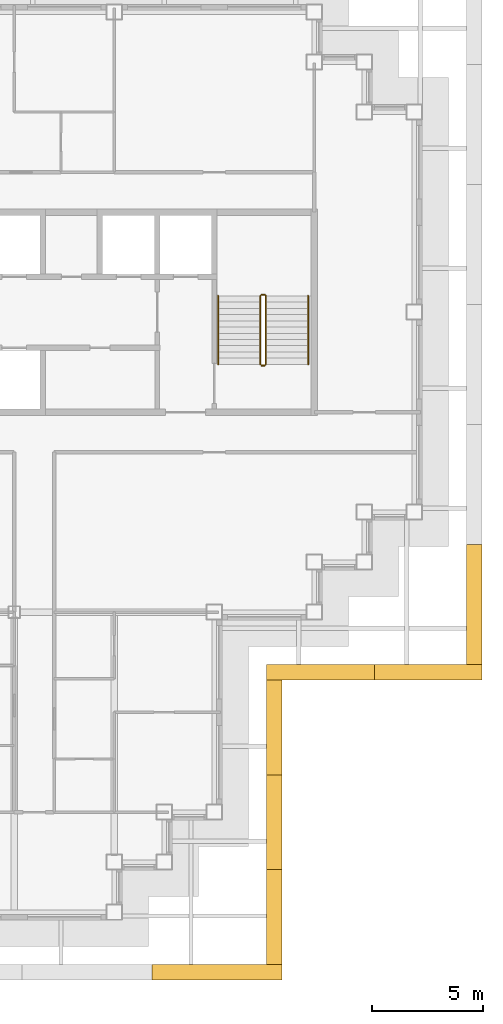
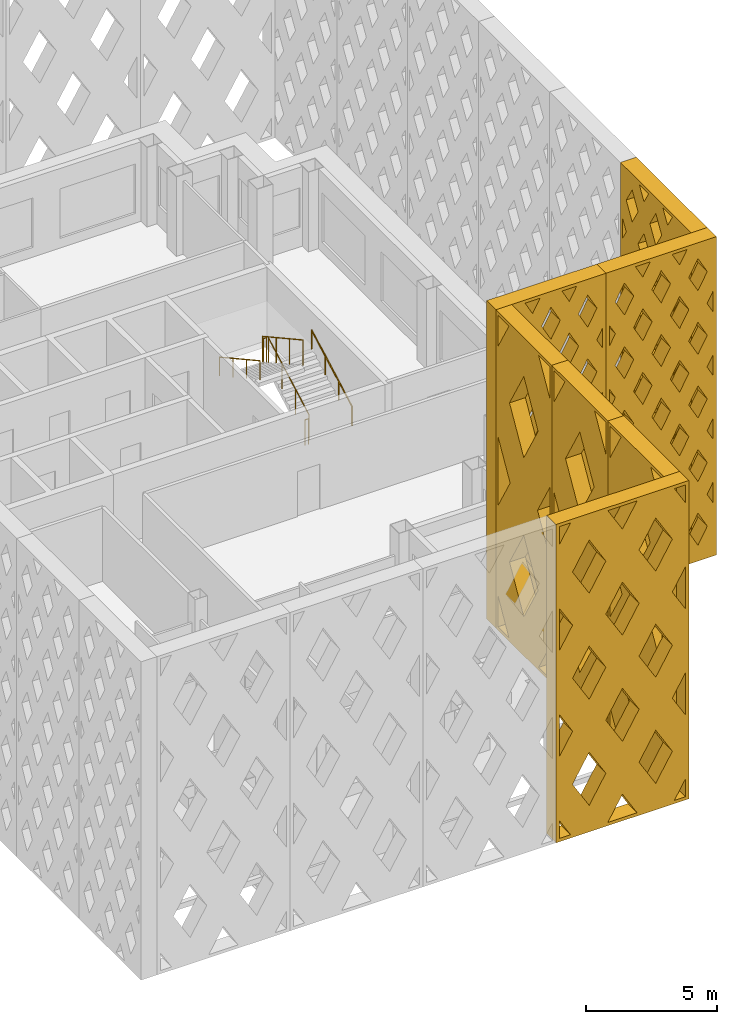
# One storey, part 13 of 16: 7 shading devices, 6 railings.
"""IFC4 building model written with IfcOpenShell, lengths in metres."""

from ifc_helpers import new_model, si_unit, direction, frame, origin, origin_2d, place, context, subcontext, project, spatial, polyline, circle, outline, extrude, material, type_object, element, save


model = new_model("IFC4")

# Units and contexts
model_context = context("Model", 3, precision=1e-05, world=origin(), true_north=direction((0.0, 1.0)))
body_context = subcontext(model_context, "Body", "Model", "MODEL_VIEW")
ifc_project = project(units=[si_unit("LENGTHUNIT", "METRE"), si_unit("AREAUNIT", "SQUARE_METRE"), si_unit("VOLUMEUNIT", "CUBIC_METRE"), si_unit("PLANEANGLEUNIT", "RADIAN"), si_unit("MASSUNIT", "GRAM", prefix="KILO")], contexts=[model_context])

# Site, building, storey
site_placement = place(None, origin())
site = spatial("IfcSite", under=ifc_project, at=site_placement, CompositionType="ELEMENT")
building_placement = place(site_placement, origin())
building = spatial("IfcBuilding", under=site, at=building_placement, Name="Caravel Reach Hotel and Residences", CompositionType="ELEMENT")
storey_placement = place(building_placement, frame((0.0, 0.0, 207.199951171875)))
storey = spatial("IfcBuildingStorey", under=building, at=storey_placement, Name="L52", CompositionType="ELEMENT", Elevation=207.199951171875)

# Shading devices
ifc_material_1 = material(Name="Black powder-coated aluminium", Category="aluminium")
shading_device_type_1 = type_object("IfcShadingDeviceType", Name="Diamond lattice screen panel 4267 x 14800", PredefinedType="USERDEFINED", material=ifc_material_1)
for number, where, z_axis, x_axis, name in (
    (1, (42.85009765625, -2.35009765625, 0.0), (1.0, 0.0, 0.0), (0.0, 1.0, 0.0), "Lattice screen L52-L55 1.1"),
    (2, (42.85009765625, 1.916748046875, 0.0), (1.0, 0.0, 0.0), (0.0, 1.0, 0.0), "Lattice screen L52-L55 1.2"),
    (3, (42.85009765625, 6.183349609375, 0.0), (1.0, 0.0, 0.0), (0.0, 1.0, 0.0), "Lattice screen L52-L55 1.3"),
):
    element("IfcShadingDevice", number, at=place(storey_placement, frame(where, z_axis=z_axis, x_axis=x_axis)), inside=storey, type_object=shading_device_type_1, Name=name, ObjectType="SCREEN", PredefinedType="USERDEFINED", context=body_context, shape_type="SweptSolid", body=[
        extrude(outline(polyline([(0.0, 0.0), (4.2666015625, 0.0), (4.2666015625, 14.800048828125), (0.0, 14.800048828125), (0.0, 0.0)]), holes=[polyline([(1.005615234375, 0.14990234375), (0.14990234375, 1.634033203125), (0.14990234375, 0.14990234375), (1.005615234375, 0.14990234375)]), polyline([(1.092041015625, 7.39990234375), (0.14990234375, 9.033935546875), (0.14990234375, 5.76611328125), (1.092041015625, 7.39990234375)]), polyline([(0.14990234375, 13.166015625), (1.005615234375, 14.64990234375), (0.14990234375, 14.64990234375), (0.14990234375, 13.166015625)]), polyline([(2.13330078125, 5.593994140625), (1.041259765625, 3.699951171875), (2.13330078125, 1.805908203125), (3.225341796875, 3.699951171875), (2.13330078125, 5.593994140625)]), polyline([(2.13330078125, 12.994140625), (1.041259765625, 11.10009765625), (2.13330078125, 9.205810546875), (3.225341796875, 11.10009765625), (2.13330078125, 12.994140625)]), polyline([(4.11669921875, 1.634033203125), (3.260986328125, 0.14990234375), (4.11669921875, 0.14990234375), (4.11669921875, 1.634033203125)]), polyline([(3.174560546875, 7.39990234375), (4.11669921875, 5.76611328125), (4.11669921875, 9.033935546875), (3.174560546875, 7.39990234375)]), polyline([(3.260986328125, 14.64990234375), (4.11669921875, 13.166015625), (4.11669921875, 14.64990234375), (3.260986328125, 14.64990234375)])]), origin(), (0.0, 0.0, 1.0), 0.699951171875),
    ])
ifc_material_2 = material(Name="Black powder-coated aluminium", Category="aluminium")
shading_device_type_2 = type_object("IfcShadingDeviceType", Name="Diamond lattice screen panel 4850 x 14800", PredefinedType="USERDEFINED", material=ifc_material_2)
shading_device_1_placement = place(storey_placement, frame((42.85009765625, 11.14990234375, 0.0), z_axis=(0.0, -1.0, 0.0), x_axis=(1.0, 0.0, 0.0)))
element("IfcShadingDevice", 4, at=shading_device_1_placement, inside=storey, type_object=shading_device_type_2, Name="Lattice screen L52-L55 2.1", ObjectType="SCREEN", PredefinedType="USERDEFINED", context=body_context, shape_type="SweptSolid", body=[
    extrude(outline(polyline([(0.0, 0.0), (4.85009765625, 0.0), (4.85009765625, 14.800048828125), (0.0, 14.800048828125), (0.0, 0.0)]), holes=[polyline([(0.408203125, 2.9599609375), (0.14990234375, 3.432861328125), (0.14990234375, 2.4873046875), (0.408203125, 2.9599609375)]), polyline([(0.408203125, 5.919921875), (0.14990234375, 6.392822265625), (0.14990234375, 5.447265625), (0.408203125, 5.919921875)]), polyline([(0.408203125, 8.8798828125), (0.14990234375, 9.352783203125), (0.14990234375, 8.4072265625), (0.408203125, 8.8798828125)]), polyline([(0.408203125, 11.840087890625), (0.14990234375, 12.312744140625), (0.14990234375, 11.3671875), (0.408203125, 11.840087890625)]), polyline([(0.808349609375, 2.2275390625), (0.400146484375, 1.47998046875), (0.808349609375, 0.732666015625), (1.216552734375, 1.47998046875), (0.808349609375, 2.2275390625)]), polyline([(0.808349609375, 5.1875), (0.400146484375, 4.43994140625), (0.808349609375, 3.692626953125), (1.216552734375, 4.43994140625), (0.808349609375, 5.1875)]), polyline([(0.808349609375, 8.1474609375), (0.400146484375, 7.39990234375), (0.808349609375, 6.652587890625), (1.216552734375, 7.39990234375), (0.808349609375, 8.1474609375)]), polyline([(0.808349609375, 11.107421875), (0.400146484375, 10.360107421875), (0.808349609375, 9.612548828125), (1.216552734375, 10.360107421875), (0.808349609375, 11.107421875)]), polyline([(0.808349609375, 14.0673828125), (0.400146484375, 13.320068359375), (0.808349609375, 12.572509765625), (1.216552734375, 13.320068359375), (0.808349609375, 14.0673828125)]), polyline([(1.61669921875, 0.747314453125), (1.290283203125, 0.14990234375), (1.94287109375, 0.14990234375), (1.61669921875, 0.747314453125)]), polyline([(1.61669921875, 3.70751953125), (1.20849609375, 2.9599609375), (1.61669921875, 2.212646484375), (2.02490234375, 2.9599609375), (1.61669921875, 3.70751953125)]), polyline([(1.61669921875, 6.66748046875), (1.20849609375, 5.919921875), (1.61669921875, 5.172607421875), (2.02490234375, 5.919921875), (1.61669921875, 6.66748046875)]), polyline([(1.61669921875, 9.62744140625), (1.20849609375, 8.8798828125), (1.61669921875, 8.132568359375), (2.02490234375, 8.8798828125), (1.61669921875, 9.62744140625)]), polyline([(1.61669921875, 12.58740234375), (1.20849609375, 11.840087890625), (1.61669921875, 11.092529296875), (2.02490234375, 11.840087890625), (1.61669921875, 12.58740234375)]), polyline([(1.61669921875, 14.052490234375), (1.94287109375, 14.64990234375), (1.290283203125, 14.64990234375), (1.61669921875, 14.052490234375)]), polyline([(2.425048828125, 2.2275390625), (2.016845703125, 1.47998046875), (2.425048828125, 0.732666015625), (2.833251953125, 1.47998046875), (2.425048828125, 2.2275390625)]), polyline([(2.425048828125, 5.1875), (2.016845703125, 4.43994140625), (2.425048828125, 3.692626953125), (2.833251953125, 4.43994140625), (2.425048828125, 5.1875)]), polyline([(2.425048828125, 8.1474609375), (2.016845703125, 7.39990234375), (2.425048828125, 6.652587890625), (2.833251953125, 7.39990234375), (2.425048828125, 8.1474609375)]), polyline([(2.425048828125, 11.107421875), (2.016845703125, 10.360107421875), (2.425048828125, 9.612548828125), (2.833251953125, 10.360107421875), (2.425048828125, 11.107421875)]), polyline([(2.425048828125, 14.0673828125), (2.016845703125, 13.320068359375), (2.425048828125, 12.572509765625), (2.833251953125, 13.320068359375), (2.425048828125, 14.0673828125)]), polyline([(3.2333984375, 0.747314453125), (2.906982421875, 0.14990234375), (3.5595703125, 0.14990234375), (3.2333984375, 0.747314453125)]), polyline([(3.2333984375, 3.70751953125), (2.8251953125, 2.9599609375), (3.2333984375, 2.212646484375), (3.6416015625, 2.9599609375), (3.2333984375, 3.70751953125)]), polyline([(3.2333984375, 6.66748046875), (2.8251953125, 5.919921875), (3.2333984375, 5.172607421875), (3.6416015625, 5.919921875), (3.2333984375, 6.66748046875)]), polyline([(3.2333984375, 9.62744140625), (2.8251953125, 8.8798828125), (3.2333984375, 8.132568359375), (3.6416015625, 8.8798828125), (3.2333984375, 9.62744140625)]), polyline([(3.2333984375, 12.58740234375), (2.8251953125, 11.840087890625), (3.2333984375, 11.092529296875), (3.6416015625, 11.840087890625), (3.2333984375, 12.58740234375)]), polyline([(3.2333984375, 14.052490234375), (3.5595703125, 14.64990234375), (2.906982421875, 14.64990234375), (3.2333984375, 14.052490234375)]), polyline([(4.041748046875, 2.2275390625), (3.633544921875, 1.47998046875), (4.041748046875, 0.732666015625), (4.449951171875, 1.47998046875), (4.041748046875, 2.2275390625)]), polyline([(4.041748046875, 5.1875), (3.633544921875, 4.43994140625), (4.041748046875, 3.692626953125), (4.449951171875, 4.43994140625), (4.041748046875, 5.1875)]), polyline([(4.041748046875, 8.1474609375), (3.633544921875, 7.39990234375), (4.041748046875, 6.652587890625), (4.449951171875, 7.39990234375), (4.041748046875, 8.1474609375)]), polyline([(4.041748046875, 11.107421875), (3.633544921875, 10.360107421875), (4.041748046875, 9.612548828125), (4.449951171875, 10.360107421875), (4.041748046875, 11.107421875)]), polyline([(4.041748046875, 14.0673828125), (3.633544921875, 13.320068359375), (4.041748046875, 12.572509765625), (4.449951171875, 13.320068359375), (4.041748046875, 14.0673828125)]), polyline([(4.44189453125, 2.9599609375), (4.699951171875, 2.4873046875), (4.699951171875, 3.432861328125), (4.44189453125, 2.9599609375)]), polyline([(4.44189453125, 5.919921875), (4.699951171875, 5.447265625), (4.699951171875, 6.392822265625), (4.44189453125, 5.919921875)]), polyline([(4.44189453125, 8.8798828125), (4.699951171875, 8.4072265625), (4.699951171875, 9.352783203125), (4.44189453125, 8.8798828125)]), polyline([(4.44189453125, 11.840087890625), (4.699951171875, 11.3671875), (4.699951171875, 12.312744140625), (4.44189453125, 11.840087890625)])]), origin(), (0.0, 0.0, 1.0), 0.699951171875),
])
shading_device_2_placement = place(storey_placement, frame((47.699951171875, 11.14990234375, 0.0), z_axis=(0.0, -1.0, 0.0), x_axis=(1.0, 0.0, 0.0)))
element("IfcShadingDevice", 5, at=shading_device_2_placement, inside=storey, type_object=shading_device_type_2, Name="Lattice screen L52-L55 2.2", ObjectType="SCREEN", PredefinedType="USERDEFINED", context=body_context, shape_type="SweptSolid", body=[
    extrude(outline(polyline([(0.0, 0.0), (4.85009765625, 0.0), (4.85009765625, 14.800048828125), (0.0, 14.800048828125), (0.0, 0.0)]), holes=[polyline([(0.408203125, 2.9599609375), (0.14990234375, 3.432861328125), (0.14990234375, 2.4873046875), (0.408203125, 2.9599609375)]), polyline([(0.408203125, 5.919921875), (0.14990234375, 6.392822265625), (0.14990234375, 5.447265625), (0.408203125, 5.919921875)]), polyline([(0.408203125, 8.8798828125), (0.14990234375, 9.352783203125), (0.14990234375, 8.4072265625), (0.408203125, 8.8798828125)]), polyline([(0.408203125, 11.840087890625), (0.14990234375, 12.312744140625), (0.14990234375, 11.3671875), (0.408203125, 11.840087890625)]), polyline([(0.808349609375, 2.2275390625), (0.400146484375, 1.47998046875), (0.808349609375, 0.732666015625), (1.216552734375, 1.47998046875), (0.808349609375, 2.2275390625)]), polyline([(0.808349609375, 5.1875), (0.400146484375, 4.43994140625), (0.808349609375, 3.692626953125), (1.216552734375, 4.43994140625), (0.808349609375, 5.1875)]), polyline([(0.808349609375, 8.1474609375), (0.400146484375, 7.39990234375), (0.808349609375, 6.652587890625), (1.216552734375, 7.39990234375), (0.808349609375, 8.1474609375)]), polyline([(0.808349609375, 11.107421875), (0.400146484375, 10.360107421875), (0.808349609375, 9.612548828125), (1.216552734375, 10.360107421875), (0.808349609375, 11.107421875)]), polyline([(0.808349609375, 14.0673828125), (0.400146484375, 13.320068359375), (0.808349609375, 12.572509765625), (1.216552734375, 13.320068359375), (0.808349609375, 14.0673828125)]), polyline([(1.61669921875, 0.747314453125), (1.290283203125, 0.14990234375), (1.94287109375, 0.14990234375), (1.61669921875, 0.747314453125)]), polyline([(1.61669921875, 3.70751953125), (1.20849609375, 2.9599609375), (1.61669921875, 2.212646484375), (2.02490234375, 2.9599609375), (1.61669921875, 3.70751953125)]), polyline([(1.61669921875, 6.66748046875), (1.20849609375, 5.919921875), (1.61669921875, 5.172607421875), (2.02490234375, 5.919921875), (1.61669921875, 6.66748046875)]), polyline([(1.61669921875, 9.62744140625), (1.20849609375, 8.8798828125), (1.61669921875, 8.132568359375), (2.02490234375, 8.8798828125), (1.61669921875, 9.62744140625)]), polyline([(1.61669921875, 12.58740234375), (1.20849609375, 11.840087890625), (1.61669921875, 11.092529296875), (2.02490234375, 11.840087890625), (1.61669921875, 12.58740234375)]), polyline([(1.61669921875, 14.052490234375), (1.94287109375, 14.64990234375), (1.290283203125, 14.64990234375), (1.61669921875, 14.052490234375)]), polyline([(2.425048828125, 2.2275390625), (2.016845703125, 1.47998046875), (2.425048828125, 0.732666015625), (2.833251953125, 1.47998046875), (2.425048828125, 2.2275390625)]), polyline([(2.425048828125, 5.1875), (2.016845703125, 4.43994140625), (2.425048828125, 3.692626953125), (2.833251953125, 4.43994140625), (2.425048828125, 5.1875)]), polyline([(2.425048828125, 8.1474609375), (2.016845703125, 7.39990234375), (2.425048828125, 6.652587890625), (2.833251953125, 7.39990234375), (2.425048828125, 8.1474609375)]), polyline([(2.425048828125, 11.107421875), (2.016845703125, 10.360107421875), (2.425048828125, 9.612548828125), (2.833251953125, 10.360107421875), (2.425048828125, 11.107421875)]), polyline([(2.425048828125, 14.0673828125), (2.016845703125, 13.320068359375), (2.425048828125, 12.572509765625), (2.833251953125, 13.320068359375), (2.425048828125, 14.0673828125)]), polyline([(3.2333984375, 0.747314453125), (2.906982421875, 0.14990234375), (3.5595703125, 0.14990234375), (3.2333984375, 0.747314453125)]), polyline([(3.2333984375, 3.70751953125), (2.8251953125, 2.9599609375), (3.2333984375, 2.212646484375), (3.6416015625, 2.9599609375), (3.2333984375, 3.70751953125)]), polyline([(3.2333984375, 6.66748046875), (2.8251953125, 5.919921875), (3.2333984375, 5.172607421875), (3.6416015625, 5.919921875), (3.2333984375, 6.66748046875)]), polyline([(3.2333984375, 9.62744140625), (2.8251953125, 8.8798828125), (3.2333984375, 8.132568359375), (3.6416015625, 8.8798828125), (3.2333984375, 9.62744140625)]), polyline([(3.2333984375, 12.58740234375), (2.8251953125, 11.840087890625), (3.2333984375, 11.092529296875), (3.6416015625, 11.840087890625), (3.2333984375, 12.58740234375)]), polyline([(3.2333984375, 14.052490234375), (3.5595703125, 14.64990234375), (2.906982421875, 14.64990234375), (3.2333984375, 14.052490234375)]), polyline([(4.041748046875, 2.2275390625), (3.633544921875, 1.47998046875), (4.041748046875, 0.732666015625), (4.449951171875, 1.47998046875), (4.041748046875, 2.2275390625)]), polyline([(4.041748046875, 5.1875), (3.633544921875, 4.43994140625), (4.041748046875, 3.692626953125), (4.449951171875, 4.43994140625), (4.041748046875, 5.1875)]), polyline([(4.041748046875, 8.1474609375), (3.633544921875, 7.39990234375), (4.041748046875, 6.652587890625), (4.449951171875, 7.39990234375), (4.041748046875, 8.1474609375)]), polyline([(4.041748046875, 11.107421875), (3.633544921875, 10.360107421875), (4.041748046875, 9.612548828125), (4.449951171875, 10.360107421875), (4.041748046875, 11.107421875)]), polyline([(4.041748046875, 14.0673828125), (3.633544921875, 13.320068359375), (4.041748046875, 12.572509765625), (4.449951171875, 13.320068359375), (4.041748046875, 14.0673828125)]), polyline([(4.44189453125, 2.9599609375), (4.699951171875, 2.4873046875), (4.699951171875, 3.432861328125), (4.44189453125, 2.9599609375)]), polyline([(4.44189453125, 5.919921875), (4.699951171875, 5.447265625), (4.699951171875, 6.392822265625), (4.44189453125, 5.919921875)]), polyline([(4.44189453125, 8.8798828125), (4.699951171875, 8.4072265625), (4.699951171875, 9.352783203125), (4.44189453125, 8.8798828125)]), polyline([(4.44189453125, 11.840087890625), (4.699951171875, 11.3671875), (4.699951171875, 12.312744140625), (4.44189453125, 11.840087890625)])]), origin(), (0.0, 0.0, 1.0), 0.699951171875),
])
ifc_material_3 = material(Name="Black powder-coated aluminium", Category="aluminium")
shading_device_type_3 = type_object("IfcShadingDeviceType", Name="Diamond lattice screen panel 5400 x 14800", PredefinedType="USERDEFINED", material=ifc_material_3)
shading_device_3_placement = place(storey_placement, frame((51.85009765625, 11.14990234375, 0.0), z_axis=(1.0, 0.0, 0.0), x_axis=(0.0, 1.0, 0.0)))
element("IfcShadingDevice", 6, at=shading_device_3_placement, inside=storey, type_object=shading_device_type_3, Name="Lattice screen L52-L55 3.1", ObjectType="SCREEN", PredefinedType="USERDEFINED", context=body_context, shape_type="SweptSolid", body=[
    extrude(outline(polyline([(0.0, 0.0), (5.39990234375, 0.0), (5.39990234375, 14.800048828125), (0.0, 14.800048828125), (0.0, 0.0)]), holes=[polyline([(0.452880859375, 2.9599609375), (0.14990234375, 3.4580078125), (0.14990234375, 2.4619140625), (0.452880859375, 2.9599609375)]), polyline([(0.452880859375, 5.919921875), (0.14990234375, 6.41796875), (0.14990234375, 5.421875), (0.452880859375, 5.919921875)]), polyline([(0.452880859375, 8.8798828125), (0.14990234375, 9.378173828125), (0.14990234375, 8.3818359375), (0.452880859375, 8.8798828125)]), polyline([(0.452880859375, 11.840087890625), (0.14990234375, 12.338134765625), (0.14990234375, 11.342041015625), (0.452880859375, 11.840087890625)]), polyline([(0.89990234375, 2.224853515625), (0.447021484375, 1.47998046875), (0.89990234375, 0.7353515625), (1.352783203125, 1.47998046875), (0.89990234375, 2.224853515625)]), polyline([(0.89990234375, 5.184814453125), (0.447021484375, 4.43994140625), (0.89990234375, 3.6953125), (1.352783203125, 4.43994140625), (0.89990234375, 5.184814453125)]), polyline([(0.89990234375, 8.144775390625), (0.447021484375, 7.39990234375), (0.89990234375, 6.6552734375), (1.352783203125, 7.39990234375), (0.89990234375, 8.144775390625)]), polyline([(0.89990234375, 11.104736328125), (0.447021484375, 10.360107421875), (0.89990234375, 9.615234375), (1.352783203125, 10.360107421875), (0.89990234375, 11.104736328125)]), polyline([(0.89990234375, 14.064697265625), (0.447021484375, 13.320068359375), (0.89990234375, 12.5751953125), (1.352783203125, 13.320068359375), (0.89990234375, 14.064697265625)]), polyline([(1.800048828125, 0.74462890625), (1.438232421875, 0.14990234375), (2.16162109375, 0.14990234375), (1.800048828125, 0.74462890625)]), polyline([(1.800048828125, 3.704833984375), (1.34716796875, 2.9599609375), (1.800048828125, 2.21533203125), (2.2529296875, 2.9599609375), (1.800048828125, 3.704833984375)]), polyline([(1.800048828125, 6.664794921875), (1.34716796875, 5.919921875), (1.800048828125, 5.17529296875), (2.2529296875, 5.919921875), (1.800048828125, 6.664794921875)]), polyline([(1.800048828125, 9.624755859375), (1.34716796875, 8.8798828125), (1.800048828125, 8.13525390625), (2.2529296875, 8.8798828125), (1.800048828125, 9.624755859375)]), polyline([(1.800048828125, 12.584716796875), (1.34716796875, 11.840087890625), (1.800048828125, 11.09521484375), (2.2529296875, 11.840087890625), (1.800048828125, 12.584716796875)]), polyline([(1.800048828125, 14.05517578125), (2.16162109375, 14.64990234375), (1.438232421875, 14.64990234375), (1.800048828125, 14.05517578125)]), polyline([(2.699951171875, 2.224853515625), (2.2470703125, 1.47998046875), (2.699951171875, 0.7353515625), (3.15283203125, 1.47998046875), (2.699951171875, 2.224853515625)]), polyline([(2.699951171875, 5.184814453125), (2.2470703125, 4.43994140625), (2.699951171875, 3.6953125), (3.15283203125, 4.43994140625), (2.699951171875, 5.184814453125)]), polyline([(2.699951171875, 8.144775390625), (2.2470703125, 7.39990234375), (2.699951171875, 6.6552734375), (3.15283203125, 7.39990234375), (2.699951171875, 8.144775390625)]), polyline([(2.699951171875, 11.104736328125), (2.2470703125, 10.360107421875), (2.699951171875, 9.615234375), (3.15283203125, 10.360107421875), (2.699951171875, 11.104736328125)]), polyline([(2.699951171875, 14.064697265625), (2.2470703125, 13.320068359375), (2.699951171875, 12.5751953125), (3.15283203125, 13.320068359375), (2.699951171875, 14.064697265625)]), polyline([(3.60009765625, 0.74462890625), (3.23828125, 0.14990234375), (3.961669921875, 0.14990234375), (3.60009765625, 0.74462890625)]), polyline([(3.60009765625, 3.704833984375), (3.147216796875, 2.9599609375), (3.60009765625, 2.21533203125), (4.052978515625, 2.9599609375), (3.60009765625, 3.704833984375)]), polyline([(3.60009765625, 6.664794921875), (3.147216796875, 5.919921875), (3.60009765625, 5.17529296875), (4.052978515625, 5.919921875), (3.60009765625, 6.664794921875)]), polyline([(3.60009765625, 9.624755859375), (3.147216796875, 8.8798828125), (3.60009765625, 8.13525390625), (4.052978515625, 8.8798828125), (3.60009765625, 9.624755859375)]), polyline([(3.60009765625, 12.584716796875), (3.147216796875, 11.840087890625), (3.60009765625, 11.09521484375), (4.052978515625, 11.840087890625), (3.60009765625, 12.584716796875)]), polyline([(3.60009765625, 14.05517578125), (3.961669921875, 14.64990234375), (3.23828125, 14.64990234375), (3.60009765625, 14.05517578125)]), polyline([(4.5, 2.224853515625), (4.047119140625, 1.47998046875), (4.5, 0.7353515625), (4.952880859375, 1.47998046875), (4.5, 2.224853515625)]), polyline([(4.5, 5.184814453125), (4.047119140625, 4.43994140625), (4.5, 3.6953125), (4.952880859375, 4.43994140625), (4.5, 5.184814453125)]), polyline([(4.5, 8.144775390625), (4.047119140625, 7.39990234375), (4.5, 6.6552734375), (4.952880859375, 7.39990234375), (4.5, 8.144775390625)]), polyline([(4.5, 11.104736328125), (4.047119140625, 10.360107421875), (4.5, 9.615234375), (4.952880859375, 10.360107421875), (4.5, 11.104736328125)]), polyline([(4.5, 14.064697265625), (4.047119140625, 13.320068359375), (4.5, 12.5751953125), (4.952880859375, 13.320068359375), (4.5, 14.064697265625)]), polyline([(4.947021484375, 2.9599609375), (5.25, 2.4619140625), (5.25, 3.4580078125), (4.947021484375, 2.9599609375)]), polyline([(4.947021484375, 5.919921875), (5.25, 5.421875), (5.25, 6.41796875), (4.947021484375, 5.919921875)]), polyline([(4.947021484375, 8.8798828125), (5.25, 8.3818359375), (5.25, 9.378173828125), (4.947021484375, 8.8798828125)]), polyline([(4.947021484375, 11.840087890625), (5.25, 11.342041015625), (5.25, 12.338134765625), (4.947021484375, 11.840087890625)])]), origin(), (0.0, 0.0, 1.0), 0.699951171875),
])
ifc_material_4 = material(Name="Black powder-coated aluminium", Category="aluminium")
shading_device_type_4 = type_object("IfcShadingDeviceType", Name="Diamond lattice screen panel 5850 x 14800", PredefinedType="USERDEFINED", material=ifc_material_4)
shading_device_4_placement = place(storey_placement, frame((37.699951171875, -2.35009765625, 0.0), z_axis=(0.0, -1.0, 0.0), x_axis=(1.0, 0.0, 0.0)))
element("IfcShadingDevice", 7, at=shading_device_4_placement, inside=storey, type_object=shading_device_type_4, Name="Lattice screen L52-L55 12.4", ObjectType="SCREEN", PredefinedType="USERDEFINED", context=body_context, shape_type="SweptSolid", body=[
    extrude(outline(polyline([(0.0, 0.0), (5.85009765625, 0.0), (5.85009765625, 14.800048828125), (0.0, 14.800048828125), (0.0, 0.0)]), holes=[polyline([(0.644775390625, 0.14990234375), (0.14990234375, 0.984375), (0.14990234375, 0.14990234375), (0.644775390625, 0.14990234375)]), polyline([(0.733642578125, 4.933349609375), (0.14990234375, 5.917724609375), (0.14990234375, 3.948974609375), (0.733642578125, 4.933349609375)]), polyline([(0.733642578125, 9.86669921875), (0.14990234375, 10.85107421875), (0.14990234375, 8.88232421875), (0.733642578125, 9.86669921875)]), polyline([(0.14990234375, 13.815673828125), (0.644775390625, 14.64990234375), (0.14990234375, 14.64990234375), (0.14990234375, 13.815673828125)]), polyline([(1.46240234375, 3.703857421875), (0.72900390625, 2.466552734375), (1.46240234375, 1.2294921875), (2.196044921875, 2.466552734375), (1.46240234375, 3.703857421875)]), polyline([(1.46240234375, 8.63720703125), (0.72900390625, 7.39990234375), (1.46240234375, 6.16259765625), (2.196044921875, 7.39990234375), (1.46240234375, 8.63720703125)]), polyline([(1.46240234375, 13.570556640625), (0.72900390625, 12.333251953125), (1.46240234375, 11.095947265625), (2.196044921875, 12.333251953125), (1.46240234375, 13.570556640625)]), polyline([(2.925048828125, 1.2373046875), (2.2802734375, 0.14990234375), (3.569580078125, 0.14990234375), (2.925048828125, 1.2373046875)]), polyline([(2.925048828125, 6.170654296875), (2.19140625, 4.933349609375), (2.925048828125, 3.696044921875), (3.65869140625, 4.933349609375), (2.925048828125, 6.170654296875)]), polyline([(2.925048828125, 11.10400390625), (2.19140625, 9.86669921875), (2.925048828125, 8.62939453125), (3.65869140625, 9.86669921875), (2.925048828125, 11.10400390625)]), polyline([(2.925048828125, 13.562744140625), (3.569580078125, 14.64990234375), (2.2802734375, 14.64990234375), (2.925048828125, 13.562744140625)]), polyline([(4.387451171875, 3.703857421875), (3.65380859375, 2.466552734375), (4.387451171875, 1.2294921875), (5.12109375, 2.466552734375), (4.387451171875, 3.703857421875)]), polyline([(4.387451171875, 8.63720703125), (3.65380859375, 7.39990234375), (4.387451171875, 6.16259765625), (5.12109375, 7.39990234375), (4.387451171875, 8.63720703125)]), polyline([(4.387451171875, 13.570556640625), (3.65380859375, 12.333251953125), (4.387451171875, 11.095947265625), (5.12109375, 12.333251953125), (4.387451171875, 13.570556640625)]), polyline([(5.699951171875, 0.984375), (5.205322265625, 0.14990234375), (5.699951171875, 0.14990234375), (5.699951171875, 0.984375)]), polyline([(5.116455078125, 4.933349609375), (5.699951171875, 3.948974609375), (5.699951171875, 5.917724609375), (5.116455078125, 4.933349609375)]), polyline([(5.116455078125, 9.86669921875), (5.699951171875, 8.88232421875), (5.699951171875, 10.85107421875), (5.116455078125, 9.86669921875)]), polyline([(5.205322265625, 14.64990234375), (5.699951171875, 13.815673828125), (5.699951171875, 14.64990234375), (5.205322265625, 14.64990234375)])]), origin(), (0.0, 0.0, 1.0), 0.699951171875),
])

# Railings
ifc_material_5 = material(Name="Steel balustrade with glass infill", Category="steel")
railing_type_1 = type_object("IfcRailingType", Name="Guard 1200", PredefinedType="GUARDRAIL", material=ifc_material_5)
railing_1_placement = place(storey_placement, frame((42.824951171875, 24.64990234375, 0.154296875)))
element("IfcRailing", 8, at=railing_1_placement, inside=storey, type_object=railing_type_1, Name="L52 ST-B stair guard 1", PredefinedType="GUARDRAIL", context=body_context, shape_type="SweptSolid", body=[
    extrude(circle(Radius=0.02392578125, at=origin_2d()), frame((0.0, 0.0, 1.17578125), z_axis=(0.0, 0.876004717809, 0.482302534076), x_axis=(-1.0, 0.0, 0.0)), (0.0, 0.0, 1.0), 3.51611328125),
    extrude(circle(Radius=0.02099609375, at=origin_2d()), origin(), (0.0, 0.0, 1.0), 1.15185546875),
    extrude(circle(Radius=0.02099609375, at=origin_2d()), frame((0.0, 1.026611328125, 0.565185546875)), (0.0, 0.0, 1.0), 1.15185546875),
    extrude(circle(Radius=0.02099609375, at=origin_2d()), frame((0.0, 2.053466796875, 1.130615234375)), (0.0, 0.0, 1.0), 1.15185546875),
    extrude(circle(Radius=0.02099609375, at=origin_2d()), frame((0.0, 3.080078125, 1.69580078125)), (0.0, 0.0, 1.0), 1.15185546875),
])
railing_2_placement = place(storey_placement, frame((42.77490234375, 27.780029296875, 1.85009765625)))
element("IfcRailing", 9, at=railing_2_placement, inside=storey, type_object=railing_type_1, Name="L52 ST-B stair guard 2", PredefinedType="GUARDRAIL", context=body_context, shape_type="SweptSolid", body=[
    extrude(circle(Radius=0.02392578125, at=origin_2d()), frame((0.0, 0.0, 1.17578125), z_axis=(-1.0, 0.0, 0.0), x_axis=(0.0, -1.0, 0.0)), (0.0, 0.0, 1.0), 0.14990234375),
    extrude(circle(Radius=0.02099609375, at=origin_2d()), origin(), (0.0, 0.0, 1.0), 1.15185546875),
    extrude(circle(Radius=0.02099609375, at=origin_2d()), frame((-0.14990234375, 0.0, 0.0)), (0.0, 0.0, 1.0), 1.15185546875),
])
railing_3_placement = place(storey_placement, frame((42.574951171875, 27.72998046875, 2.004150390625)))
element("IfcRailing", 10, at=railing_3_placement, inside=storey, type_object=railing_type_1, Name="L52 ST-B stair guard 3", PredefinedType="GUARDRAIL", context=body_context, shape_type="SweptSolid", body=[
    extrude(circle(Radius=0.02392578125, at=origin_2d()), frame((0.0, 0.0, 1.17578125), z_axis=(0.0, -0.876004717809, 0.482302534076), x_axis=(1.0, 0.0, 0.0)), (0.0, 0.0, 1.0), 3.51611328125),
    extrude(circle(Radius=0.02099609375, at=origin_2d()), origin(), (0.0, 0.0, 1.0), 1.15185546875),
    extrude(circle(Radius=0.02099609375, at=origin_2d()), frame((0.0, -1.026611328125, 0.565185546875)), (0.0, 0.0, 1.0), 1.15185546875),
    extrude(circle(Radius=0.02099609375, at=origin_2d()), frame((0.0, -2.053466796875, 1.130615234375)), (0.0, 0.0, 1.0), 1.15185546875),
    extrude(circle(Radius=0.02099609375, at=origin_2d()), frame((0.0, -3.080078125, 1.69580078125)), (0.0, 0.0, 1.0), 1.15185546875),
])
railing_4_placement = place(storey_placement, frame((42.77490234375, 24.60009765625, 0.0)))
element("IfcRailing", 11, at=railing_4_placement, inside=storey, type_object=railing_type_1, Name="L52 ST-B stair guard 4", PredefinedType="GUARDRAIL", context=body_context, shape_type="SweptSolid", body=[
    extrude(circle(Radius=0.02392578125, at=origin_2d()), frame((0.0, 0.0, 1.17578125), z_axis=(-1.0, 0.0, 0.0), x_axis=(0.0, -1.0, 0.0)), (0.0, 0.0, 1.0), 0.14990234375),
    extrude(circle(Radius=0.02099609375, at=origin_2d()), origin(), (0.0, 0.0, 1.0), 1.15185546875),
    extrude(circle(Radius=0.02099609375, at=origin_2d()), frame((-0.14990234375, 0.0, 0.0)), (0.0, 0.0, 1.0), 1.15185546875),
])
ifc_material_6 = material(Name="Stainless steel handrail", Category="steel")
railing_type_2 = type_object("IfcRailingType", Name="Handrail 900", PredefinedType="HANDRAIL", material=ifc_material_6)
railing_5_placement = place(storey_placement, frame((44.72509765625, 24.64990234375, 0.154296875)))
element("IfcRailing", 12, at=railing_5_placement, inside=storey, type_object=railing_type_2, Name="L52 ST-B stair handrail 1", PredefinedType="HANDRAIL", context=body_context, shape_type="SweptSolid", body=[
    extrude(circle(Radius=0.02392578125, at=origin_2d()), frame((0.0, 0.0, 0.8759765625), z_axis=(0.0, 0.876004717809, 0.482302534076), x_axis=(-1.0, 0.0, 0.0)), (0.0, 0.0, 1.0), 3.51611328125),
    extrude(circle(Radius=0.02099609375, at=origin_2d()), origin(), (0.0, 0.0, 1.0), 0.851806640625),
    extrude(circle(Radius=0.02099609375, at=origin_2d()), frame((0.0, 1.026611328125, 0.565185546875)), (0.0, 0.0, 1.0), 0.851806640625),
    extrude(circle(Radius=0.02099609375, at=origin_2d()), frame((0.0, 2.053466796875, 1.130615234375)), (0.0, 0.0, 1.0), 0.851806640625),
    extrude(circle(Radius=0.02099609375, at=origin_2d()), frame((0.0, 3.080078125, 1.69580078125)), (0.0, 0.0, 1.0), 0.851806640625),
])
railing_6_placement = place(storey_placement, frame((40.675048828125, 27.72998046875, 2.004150390625)))
element("IfcRailing", 13, at=railing_6_placement, inside=storey, type_object=railing_type_2, Name="L52 ST-B stair handrail 2", PredefinedType="HANDRAIL", context=body_context, shape_type="SweptSolid", body=[
    extrude(circle(Radius=0.02392578125, at=origin_2d()), frame((0.0, 0.0, 0.8759765625), z_axis=(0.0, -0.876004717809, 0.482302534076), x_axis=(1.0, 0.0, 0.0)), (0.0, 0.0, 1.0), 3.51611328125),
    extrude(circle(Radius=0.02099609375, at=origin_2d()), origin(), (0.0, 0.0, 1.0), 0.851806640625),
    extrude(circle(Radius=0.02099609375, at=origin_2d()), frame((0.0, -1.026611328125, 0.565185546875)), (0.0, 0.0, 1.0), 0.851806640625),
    extrude(circle(Radius=0.02099609375, at=origin_2d()), frame((0.0, -2.053466796875, 1.130615234375)), (0.0, 0.0, 1.0), 0.851806640625),
    extrude(circle(Radius=0.02099609375, at=origin_2d()), frame((0.0, -3.080078125, 1.69580078125)), (0.0, 0.0, 1.0), 0.851806640625),
])

save(model, "model.ifc")
